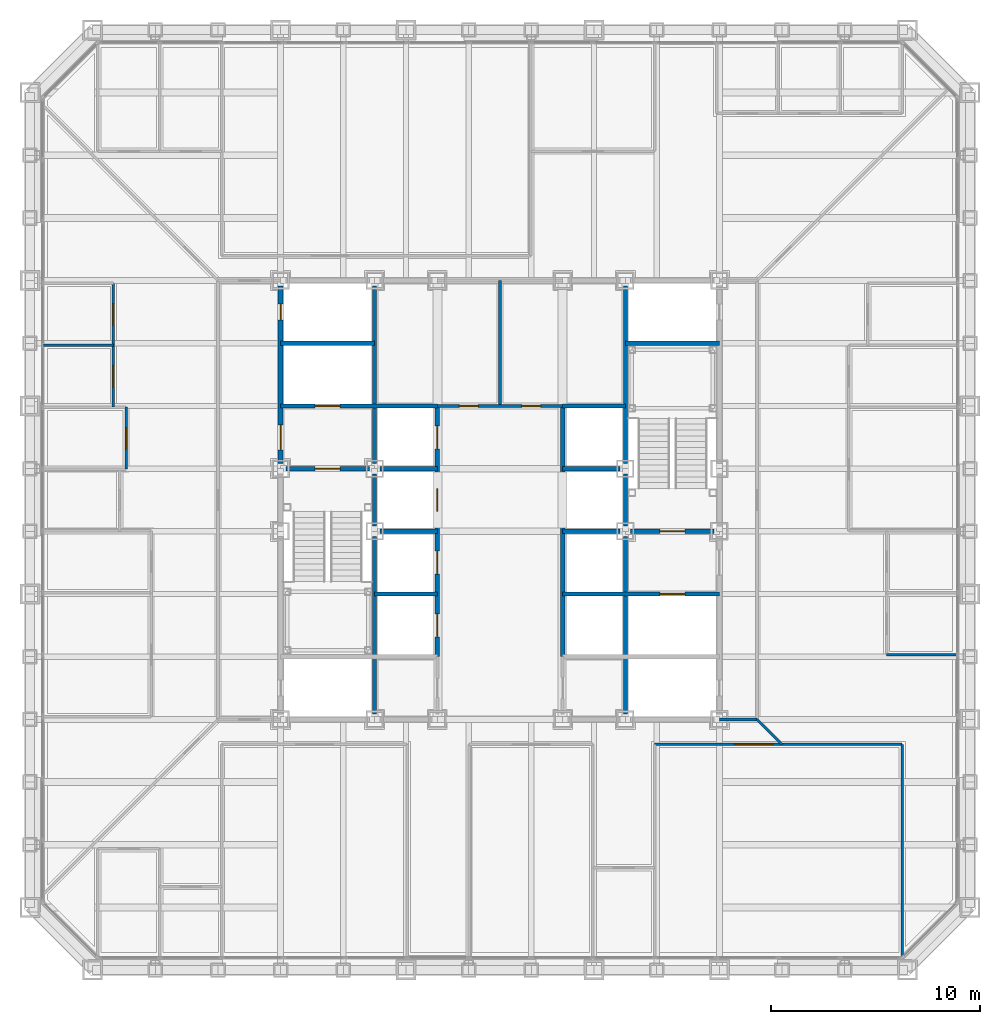
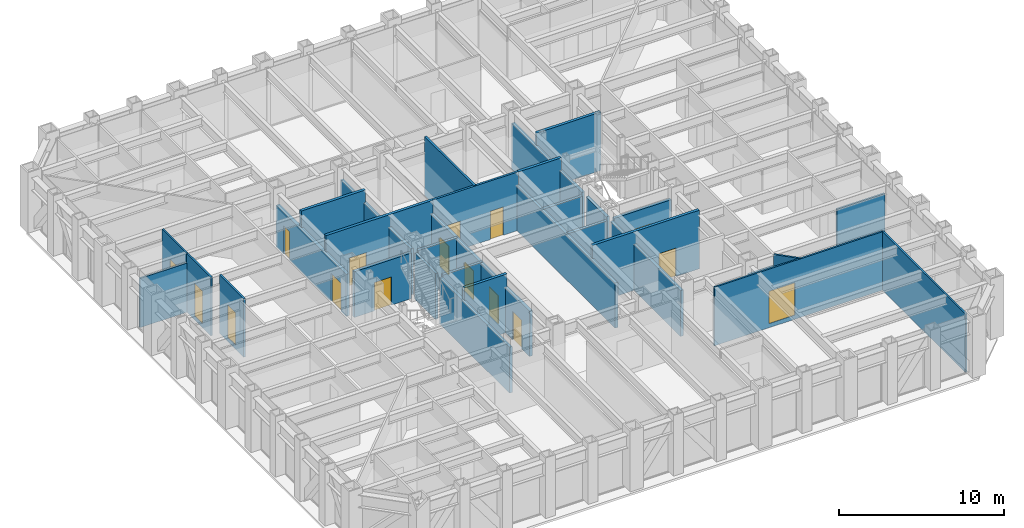
# One storey, part 9 of 17: 32 walls, 16 doors, 16 openings.
"""IFC4 building model written with IfcOpenShell, lengths in metres."""

from ifc_helpers import new_model, si_unit, direction, frame, frame_2d, origin, place, context, subcontext, project, spatial, rectangle, extrude, material, layer, layer_set, type_object, element, fill, save


model = new_model("IFC4")

# Units and contexts
model_context = context("Model", 3, precision=1e-05, world=origin(), true_north=direction((0.0, 1.0)))
body_context = subcontext(model_context, "Body", "Model", "MODEL_VIEW")
ifc_project = project(units=[si_unit("LENGTHUNIT", "METRE"), si_unit("AREAUNIT", "SQUARE_METRE"), si_unit("VOLUMEUNIT", "CUBIC_METRE"), si_unit("PLANEANGLEUNIT", "RADIAN"), si_unit("MASSUNIT", "GRAM", prefix="KILO")], contexts=[model_context])

# Site, building, storey
site_placement = place(None, origin())
site = spatial("IfcSite", under=ifc_project, at=site_placement, CompositionType="ELEMENT")
building_placement = place(site_placement, origin())
building = spatial("IfcBuilding", under=site, at=building_placement, Name="Chuquiago Exchange Tower", CompositionType="ELEMENT")
storey_placement = place(building_placement, frame((0.0, 0.0, 64.800048828125)))
storey = spatial("IfcBuildingStorey", under=building, at=storey_placement, Name="L13", CompositionType="ELEMENT", Elevation=64.800048828125)

# Wall, openings, doors
ifc_material_1 = material(Name="Concrete masonry, fully grouted", Category="masonry")
ifc_layer_1 = layer(ifc_material_1, 0.25)
ifc_layer_set_1 = layer_set([ifc_layer_1], Name="W1 core wall 250")
wall_type_1 = type_object("IfcWallType", Name="W1 core wall 250", PredefinedType="SOLIDWALL", material=ifc_layer_set_1)
wall_1_placement = place(storey_placement, frame((12.0, 24.25, 0.0), z_axis=(0.0, 0.0, 1.0), x_axis=(0.0, 1.0, 0.0)))
wall_1 = element("IfcWall", 1, at=wall_1_placement, inside=storey, type_object=wall_type_1, Name="CW-L13-00-2", PredefinedType="SOLIDWALL", context=body_context, shape_type="SweptSolid", body=[
    extrude(rectangle(XDim=8.5, YDim=0.25, at=frame_2d((4.25, 0.0))), origin(), (0.0, 0.0, 1.0), 3.11279296875),
])
opening_1_placement = place(wall_1_placement, frame((0.64990234375, 0.0, 0.0)))
opening_1 = element("IfcOpeningElement", 2, at=opening_1_placement, cuts=wall_1, Name="Opening L13-002", PredefinedType="OPENING", context=body_context, shape_type="SweptSolid", body=[
    extrude(rectangle(XDim=1.199951171875, YDim=2.10009765625, at=frame_2d((0.60009765625, 1.050048828125))), frame((0.0, 0.135009765625, 0.0), z_axis=(0.0, -1.0, 0.0), x_axis=(1.0, 0.0, 0.0)), (0.0, 0.0, 1.0), 0.27001953125),
])
opening_2_placement = place(wall_1_placement, frame((6.875, 0.0, 0.0)))
opening_2 = element("IfcOpeningElement", 3, at=opening_2_placement, cuts=wall_1, Name="Opening L13-008", PredefinedType="OPENING", context=body_context, shape_type="SweptSolid", body=[
    extrude(rectangle(XDim=0.75, YDim=2.10009765625, at=frame_2d((0.375, 1.050048828125))), frame((0.0, 0.135009765625, 0.0), z_axis=(0.0, -1.0, 0.0), x_axis=(1.0, 0.0, 0.0)), (0.0, 0.0, 1.0), 0.27001953125),
])
ifc_material_2 = material(Name="Steel door, painted", Category="steel")
door_type_1 = type_object("IfcDoorType", Name="D5 firefighting lobby door 1200x2100", OperationType="SINGLE_SWING_LEFT", PredefinedType="DOOR", material=ifc_material_2)
door_1_placement = place(opening_1_placement, frame((1.199951171875, 0.0, 0.0), z_axis=(0.0, 0.0, 1.0), x_axis=(-1.0, 0.0, 0.0)))
door_1 = element("IfcDoor", 4, at=door_1_placement, inside=storey, type_object=door_type_1, Name="Firefighting lobby 1 door", OperationType="SINGLE_SWING_RIGHT", OverallHeight=2.10009765625, OverallWidth=1.199951171875, PredefinedType="DOOR", context=body_context, shape_type="SweptSolid", body=[
    extrude(rectangle(XDim=1.199951171875, YDim=2.10009765625, at=frame_2d((0.60009765625, 1.050048828125))), frame((0.0, 0.02490234375, 0.0), z_axis=(0.0, -1.0, 0.0), x_axis=(1.0, 0.0, 0.0)), (0.0, 0.0, 1.0), 0.050048828125),
])
fill(opening_1, door_1)
ifc_material_3 = material(Name="Steel door, painted", Category="steel")
door_type_2 = type_object("IfcDoorType", Name="D6 riser access door 750x2100", OperationType="SINGLE_SWING_LEFT", PredefinedType="DOOR", material=ifc_material_3)
door_2_placement = place(opening_2_placement, origin())
door_2 = element("IfcDoor", 5, at=door_2_placement, inside=storey, type_object=door_type_2, Name="Riser RW2 door", OperationType="SINGLE_SWING_RIGHT", OverallHeight=2.10009765625, OverallWidth=0.75, PredefinedType="DOOR", context=body_context, shape_type="SweptSolid", body=[
    extrude(rectangle(XDim=0.75, YDim=2.10009765625, at=frame_2d((0.375, 1.050048828125))), frame((0.0, 0.02490234375, 0.0), z_axis=(0.0, -1.0, 0.0), x_axis=(1.0, 0.0, 0.0)), (0.0, 0.0, 1.0), 0.050048828125),
])
fill(opening_2, door_2)

# Wall
ifc_material_4 = material(Name="Gypsum board on steel studs, acoustic insulation", Category="steel")
ifc_layer_2 = layer(ifc_material_4, 0.14990234375)
ifc_layer_set_2 = layer_set([ifc_layer_2], Name="W11 corridor wall 150")
wall_type_2 = type_object("IfcWallType", Name="W11 corridor wall 150", PredefinedType="PARTITIONING", material=ifc_layer_set_2)
wall_2_placement = place(storey_placement, frame((33.0, 12.0, -0.300048828125), z_axis=(0.0, 0.0, 1.0), x_axis=(1.0, 0.0, 0.0)))
element("IfcWall", 6, at=wall_2_placement, inside=storey, type_object=wall_type_2, Name="PW-L13-GES0", PredefinedType="PARTITIONING", context=body_context, shape_type="SweptSolid", body=[
    extrude(rectangle(XDim=1.800048828125, YDim=0.14990234375, at=frame_2d((0.89990234375, 0.0))), origin(), (0.0, 0.0, 1.0), 3.4814453125),
])

# Wall, opening, door
ifc_material_5 = material(Name="Concrete masonry, fully grouted", Category="masonry")
ifc_layer_3 = layer(ifc_material_5, 0.199951171875)
ifc_layer_set_3 = layer_set([ifc_layer_3], Name="W2 shaft wall 200")
wall_type_3 = type_object("IfcWallType", Name="W2 shaft wall 200", PredefinedType="SOLIDWALL", material=ifc_layer_set_3)
wall_3_placement = place(storey_placement, frame((12.25, 24.0, 0.0), z_axis=(0.0, 0.0, 1.0), x_axis=(1.0, 0.0, 0.0)))
wall_3 = element("IfcWall", 7, at=wall_3_placement, inside=storey, type_object=wall_type_3, Name="CW-L13-05-0", PredefinedType="SOLIDWALL", context=body_context, shape_type="SweptSolid", body=[
    extrude(rectangle(XDim=4.0, YDim=0.199951171875, at=frame_2d((2.0, 0.0))), origin(), (0.0, 0.0, 1.0), 3.389892578125),
])
opening_3_placement = place(wall_3_placement, frame((1.39990234375, 0.0, 0.0)))
opening_3 = element("IfcOpeningElement", 8, at=opening_3_placement, cuts=wall_3, Name="Opening L13-001", PredefinedType="OPENING", context=body_context, shape_type="SweptSolid", body=[
    extrude(rectangle(XDim=1.199951171875, YDim=2.10009765625, at=frame_2d((0.60009765625, 1.050048828125))), frame((0.0, 0.10986328125, 0.0), z_axis=(0.0, -1.0, 0.0), x_axis=(1.0, 0.0, 0.0)), (0.0, 0.0, 1.0), 0.219970703125),
])
ifc_material_6 = material(Name="Steel door, painted", Category="steel")
door_type_3 = type_object("IfcDoorType", Name="D4 stair door 1200x2100", OperationType="SINGLE_SWING_LEFT", PredefinedType="DOOR", material=ifc_material_6)
door_3_placement = place(opening_3_placement, frame((1.199951171875, 0.0, 0.0), z_axis=(0.0, 0.0, 1.0), x_axis=(-1.0, 0.0, 0.0)))
door_3 = element("IfcDoor", 9, at=door_3_placement, inside=storey, type_object=door_type_3, Name="Stair ST1 door", OperationType="SINGLE_SWING_RIGHT", OverallHeight=2.10009765625, OverallWidth=1.199951171875, PredefinedType="DOOR", context=body_context, shape_type="SweptSolid", body=[
    extrude(rectangle(XDim=1.199951171875, YDim=2.10009765625, at=frame_2d((0.60009765625, 1.050048828125))), frame((0.0, 0.02490234375, 0.0), z_axis=(0.0, -1.0, 0.0), x_axis=(1.0, 0.0, 0.0)), (0.0, 0.0, 1.0), 0.050048828125),
])
fill(opening_3, door_3)

# Walls
for number, where, z_axis, x_axis, name in (
    (10, (16.75, 24.0, 0.0), (0.0, 0.0, 1.0), (1.0, 0.0, 0.0), "CW-L13-05-1"),
    (11, (25.5, 24.0, 0.0), (0.0, 0.0, 1.0), (1.0, 0.0, 0.0), "CW-L13-06-0"),
):
    element("IfcWall", number, at=place(storey_placement, frame(where, z_axis=z_axis, x_axis=x_axis)), inside=storey, type_object=wall_type_3, Name=name, PredefinedType="SOLIDWALL", context=body_context, shape_type="SweptSolid", body=[
        extrude(rectangle(XDim=2.75, YDim=0.199951171875, at=frame_2d((1.375, 0.0))), origin(), (0.0, 0.0, 1.0), 3.389892578125),
    ])

# Wall, opening, door
wall_4_placement = place(storey_placement, frame((12.0, 27.0, 0.0), z_axis=(0.0, 0.0, 1.0), x_axis=(1.0, 0.0, 0.0)))
wall_4 = element("IfcWall", 12, at=wall_4_placement, inside=storey, type_object=wall_type_3, Name="CW-L13-07-0", PredefinedType="SOLIDWALL", context=body_context, shape_type="SweptSolid", body=[
    extrude(rectangle(XDim=7.5, YDim=0.199951171875, at=frame_2d((3.75, 0.0))), origin(), (0.0, 0.0, 1.0), 4.33984375),
])
opening_4_placement = place(wall_4_placement, frame((1.64990234375, 0.0, 0.0)))
opening_4 = element("IfcOpeningElement", 13, at=opening_4_placement, cuts=wall_4, Name="Opening L13-005", PredefinedType="OPENING", context=body_context, shape_type="SweptSolid", body=[
    extrude(rectangle(XDim=1.199951171875, YDim=2.10009765625, at=frame_2d((0.60009765625, 1.050048828125))), frame((0.0, 0.10986328125, 0.0), z_axis=(0.0, -1.0, 0.0), x_axis=(1.0, 0.0, 0.0)), (0.0, 0.0, 1.0), 0.219970703125),
])
ifc_material_7 = material(Name="Stainless steel lift landing door", Category="steel")
door_type_4 = type_object("IfcDoorType", Name="LD2 firefighting lift landing door 1200x2100", OperationType="DOUBLE_DOOR_SLIDING", PredefinedType="DOOR", material=ifc_material_7)
door_4_placement = place(opening_4_placement, origin())
door_4 = element("IfcDoor", 14, at=door_4_placement, inside=storey, type_object=door_type_4, Name="Firefighting lift FL1 landing door", OperationType="DOUBLE_DOOR_SLIDING", OverallHeight=2.10009765625, OverallWidth=1.199951171875, PredefinedType="DOOR", context=body_context, shape_type="SweptSolid", body=[
    extrude(rectangle(XDim=1.199951171875, YDim=2.10009765625, at=frame_2d((0.60009765625, 1.050048828125))), frame((0.0, 0.02490234375, 0.0), z_axis=(0.0, -1.0, 0.0), x_axis=(1.0, 0.0, 0.0)), (0.0, 0.0, 1.0), 0.050048828125),
])
fill(opening_4, door_4)

# Walls
wall_5_placement = place(storey_placement, frame((25.5, 27.0, 0.0), z_axis=(0.0, 0.0, 1.0), x_axis=(1.0, 0.0, 0.0)))
element("IfcWall", 15, at=wall_5_placement, inside=storey, type_object=wall_type_3, Name="CW-L13-08-0", PredefinedType="SOLIDWALL", context=body_context, shape_type="SweptSolid", body=[
    extrude(rectangle(XDim=3.0, YDim=0.199951171875, at=frame_2d((1.5, 0.0))), origin(), (0.0, 0.0, 1.0), 4.33984375),
])
for number, where, z_axis, x_axis, name in (
    (16, (12.0, 30.0, 0.0), (0.0, 0.0, 1.0), (1.0, 0.0, 0.0), "CW-L13-09-0"),
    (17, (28.5, 30.0, 0.0), (0.0, 0.0, 1.0), (1.0, 0.0, 0.0), "CW-L13-10-0"),
):
    element("IfcWall", number, at=place(storey_placement, frame(where, z_axis=z_axis, x_axis=x_axis)), inside=storey, type_object=wall_type_3, Name=name, PredefinedType="SOLIDWALL", context=body_context, shape_type="SweptSolid", body=[
        extrude(rectangle(XDim=4.5, YDim=0.199951171875, at=frame_2d((2.25, 0.0))), origin(), (0.0, 0.0, 1.0), 4.33984375),
    ])
wall_6_placement = place(storey_placement, frame((16.5, 12.25, 0.0), z_axis=(0.0, 0.0, 1.0), x_axis=(0.0, 1.0, 0.0)))
element("IfcWall", 18, at=wall_6_placement, inside=storey, type_object=wall_type_3, Name="CW-L13-13-0", PredefinedType="SOLIDWALL", context=body_context, shape_type="SweptSolid", body=[
    extrude(rectangle(XDim=8.5, YDim=0.199951171875, at=frame_2d((4.25, 0.0))), origin(), (0.0, 0.0, 1.0), 3.412841796875),
])
wall_7_placement = place(storey_placement, frame((16.5, 21.25, 0.0), z_axis=(0.0, 0.0, 1.0), x_axis=(0.0, 1.0, 0.0)))
element("IfcWall", 19, at=wall_7_placement, inside=storey, type_object=wall_type_3, Name="CW-L13-13-1", PredefinedType="SOLIDWALL", context=body_context, shape_type="SweptSolid", body=[
    extrude(rectangle(XDim=2.5, YDim=0.199951171875, at=frame_2d((1.25, 0.0))), origin(), (0.0, 0.0, 1.0), 3.412841796875),
])
wall_8_placement = place(storey_placement, frame((16.5, 24.25, 0.0), z_axis=(0.0, 0.0, 1.0), x_axis=(0.0, 1.0, 0.0)))
element("IfcWall", 20, at=wall_8_placement, inside=storey, type_object=wall_type_3, Name="CW-L13-13-2", PredefinedType="SOLIDWALL", context=body_context, shape_type="SweptSolid", body=[
    extrude(rectangle(XDim=8.5, YDim=0.199951171875, at=frame_2d((4.25, 0.0))), origin(), (0.0, 0.0, 1.0), 3.412841796875),
])
wall_9_placement = place(storey_placement, frame((16.5, 18.0, 0.0), z_axis=(0.0, 0.0, 1.0), x_axis=(1.0, 0.0, 0.0)))
element("IfcWall", 21, at=wall_9_placement, inside=storey, type_object=wall_type_3, Name="CW-L13-14-0", PredefinedType="SOLIDWALL", context=body_context, shape_type="SweptSolid", body=[
    extrude(rectangle(XDim=3.0, YDim=0.199951171875, at=frame_2d((1.5, 0.0))), origin(), (0.0, 0.0, 1.0), 4.33984375),
])

# Wall, opening, door
wall_10_placement = place(storey_placement, frame((25.5, 18.0, 0.0), z_axis=(0.0, 0.0, 1.0), x_axis=(1.0, 0.0, 0.0)))
wall_10 = element("IfcWall", 22, at=wall_10_placement, inside=storey, type_object=wall_type_3, Name="CW-L13-15-0", PredefinedType="SOLIDWALL", context=body_context, shape_type="SweptSolid", body=[
    extrude(rectangle(XDim=7.5, YDim=0.199951171875, at=frame_2d((3.75, 0.0))), origin(), (0.0, 0.0, 1.0), 4.33984375),
])
opening_5_placement = place(wall_10_placement, frame((4.64990234375, 0.0, 0.0)))
opening_5 = element("IfcOpeningElement", 23, at=opening_5_placement, cuts=wall_10, Name="Opening L13-006", PredefinedType="OPENING", context=body_context, shape_type="SweptSolid", body=[
    extrude(rectangle(XDim=1.199951171875, YDim=2.10009765625, at=frame_2d((0.60009765625, 1.050048828125))), frame((0.0, 0.10986328125, 0.0), z_axis=(0.0, -1.0, 0.0), x_axis=(1.0, 0.0, 0.0)), (0.0, 0.0, 1.0), 0.219970703125),
])
door_5_placement = place(opening_5_placement, origin())
door_5 = element("IfcDoor", 24, at=door_5_placement, inside=storey, type_object=door_type_4, Name="Firefighting lift FL2 landing door", OperationType="DOUBLE_DOOR_SLIDING", OverallHeight=2.10009765625, OverallWidth=1.199951171875, PredefinedType="DOOR", context=body_context, shape_type="SweptSolid", body=[
    extrude(rectangle(XDim=1.199951171875, YDim=2.10009765625, at=frame_2d((0.60009765625, 1.050048828125))), frame((0.0, 0.02490234375, 0.0), z_axis=(0.0, -1.0, 0.0), x_axis=(1.0, 0.0, 0.0)), (0.0, 0.0, 1.0), 0.050048828125),
])
fill(opening_5, door_5)

# Walls
for number, where, z_axis, x_axis, name in (
    (25, (16.75, 21.0, 0.0), (0.0, 0.0, 1.0), (1.0, 0.0, 0.0), "CW-L13-16-0"),
    (26, (25.5, 21.0, 0.0), (0.0, 0.0, 1.0), (1.0, 0.0, 0.0), "CW-L13-17-0"),
):
    element("IfcWall", number, at=place(storey_placement, frame(where, z_axis=z_axis, x_axis=x_axis)), inside=storey, type_object=wall_type_3, Name=name, PredefinedType="SOLIDWALL", context=body_context, shape_type="SweptSolid", body=[
        extrude(rectangle(XDim=2.75, YDim=0.199951171875, at=frame_2d((1.375, 0.0))), origin(), (0.0, 0.0, 1.0), 3.389892578125),
    ])

# Wall, opening, door
wall_11_placement = place(storey_placement, frame((28.75, 21.0, 0.0), z_axis=(0.0, 0.0, 1.0), x_axis=(1.0, 0.0, 0.0)))
wall_11 = element("IfcWall", 27, at=wall_11_placement, inside=storey, type_object=wall_type_3, Name="CW-L13-17-1", PredefinedType="SOLIDWALL", context=body_context, shape_type="SweptSolid", body=[
    extrude(rectangle(XDim=4.0, YDim=0.199951171875, at=frame_2d((2.0, 0.0))), origin(), (0.0, 0.0, 1.0), 3.389892578125),
])
opening_6_placement = place(wall_11_placement, frame((1.39990234375, 0.0, 0.0)))
opening_6 = element("IfcOpeningElement", 28, at=opening_6_placement, cuts=wall_11, Name="Opening L13-003", PredefinedType="OPENING", context=body_context, shape_type="SweptSolid", body=[
    extrude(rectangle(XDim=1.199951171875, YDim=2.10009765625, at=frame_2d((0.60009765625, 1.050048828125))), frame((0.0, 0.10986328125, 0.0), z_axis=(0.0, -1.0, 0.0), x_axis=(1.0, 0.0, 0.0)), (0.0, 0.0, 1.0), 0.219970703125),
])
door_6_placement = place(opening_6_placement, origin())
door_6 = element("IfcDoor", 29, at=door_6_placement, inside=storey, type_object=door_type_3, Name="Stair ST2 door", OperationType="SINGLE_SWING_LEFT", OverallHeight=2.10009765625, OverallWidth=1.199951171875, PredefinedType="DOOR", context=body_context, shape_type="SweptSolid", body=[
    extrude(rectangle(XDim=1.199951171875, YDim=2.10009765625, at=frame_2d((0.60009765625, 1.050048828125))), frame((0.0, 0.02490234375, 0.0), z_axis=(0.0, -1.0, 0.0), x_axis=(1.0, 0.0, 0.0)), (0.0, 0.0, 1.0), 0.050048828125),
])
fill(opening_6, door_6)

# Wall, openings, doors
wall_12_placement = place(storey_placement, frame((19.5, 15.0, 0.0), z_axis=(0.0, 0.0, 1.0), x_axis=(0.0, 1.0, 0.0)))
wall_12 = element("IfcWall", 30, at=wall_12_placement, inside=storey, type_object=wall_type_3, Name="CW-L13-19-0", PredefinedType="SOLIDWALL", context=body_context, shape_type="SweptSolid", body=[
    extrude(rectangle(XDim=12.0, YDim=0.199951171875, at=frame_2d((6.0, 0.0))), origin(), (0.0, 0.0, 1.0), 3.364501953125),
])
opening_7_placement = place(wall_12_placement, frame((0.949951171875, 0.0, 0.0)))
opening_7 = element("IfcOpeningElement", 31, at=opening_7_placement, cuts=wall_12, Name="Opening L13-015", PredefinedType="OPENING", context=body_context, shape_type="SweptSolid", body=[
    extrude(rectangle(XDim=1.10009765625, YDim=2.10009765625, at=frame_2d((0.550048828125, 1.050048828125))), frame((0.0, 0.10986328125, 0.0), z_axis=(0.0, -1.0, 0.0), x_axis=(1.0, 0.0, 0.0)), (0.0, 0.0, 1.0), 0.219970703125),
])
opening_8_placement = place(wall_12_placement, frame((3.949951171875, 0.0, 0.0)))
opening_8 = element("IfcOpeningElement", 32, at=opening_8_placement, cuts=wall_12, Name="Opening L13-016", PredefinedType="OPENING", context=body_context, shape_type="SweptSolid", body=[
    extrude(rectangle(XDim=1.10009765625, YDim=2.10009765625, at=frame_2d((0.550048828125, 1.050048828125))), frame((0.0, 0.10986328125, 0.0), z_axis=(0.0, -1.0, 0.0), x_axis=(1.0, 0.0, 0.0)), (0.0, 0.0, 1.0), 0.219970703125),
])
opening_9_placement = place(wall_12_placement, frame((6.949951171875, 0.0, 0.0)))
opening_9 = element("IfcOpeningElement", 33, at=opening_9_placement, cuts=wall_12, Name="Opening L13-017", PredefinedType="OPENING", context=body_context, shape_type="SweptSolid", body=[
    extrude(rectangle(XDim=1.10009765625, YDim=2.10009765625, at=frame_2d((0.550048828125, 1.050048828125))), frame((0.0, 0.10986328125, 0.0), z_axis=(0.0, -1.0, 0.0), x_axis=(1.0, 0.0, 0.0)), (0.0, 0.0, 1.0), 0.219970703125),
])
opening_10_placement = place(wall_12_placement, frame((9.949951171875, 0.0, 0.0)))
opening_10 = element("IfcOpeningElement", 34, at=opening_10_placement, cuts=wall_12, Name="Opening L13-018", PredefinedType="OPENING", context=body_context, shape_type="SweptSolid", body=[
    extrude(rectangle(XDim=1.10009765625, YDim=2.10009765625, at=frame_2d((0.550048828125, 1.050048828125))), frame((0.0, 0.10986328125, 0.0), z_axis=(0.0, -1.0, 0.0), x_axis=(1.0, 0.0, 0.0)), (0.0, 0.0, 1.0), 0.219970703125),
])
ifc_material_8 = material(Name="Stainless steel lift landing door", Category="steel")
door_type_5 = type_object("IfcDoorType", Name="LD1 lift landing door 1100x2100", OperationType="DOUBLE_DOOR_SLIDING", PredefinedType="DOOR", material=ifc_material_8)
door_7_placement = place(opening_7_placement, origin())
door_7 = element("IfcDoor", 35, at=door_7_placement, inside=storey, type_object=door_type_5, Name="Lift LA1 landing door", OperationType="DOUBLE_DOOR_SLIDING", OverallHeight=2.10009765625, OverallWidth=1.10009765625, PredefinedType="DOOR", context=body_context, shape_type="SweptSolid", body=[
    extrude(rectangle(XDim=1.10009765625, YDim=2.10009765625, at=frame_2d((0.550048828125, 1.050048828125))), frame((0.0, 0.02490234375, 0.0), z_axis=(0.0, -1.0, 0.0), x_axis=(1.0, 0.0, 0.0)), (0.0, 0.0, 1.0), 0.050048828125),
])
fill(opening_7, door_7)
door_8_placement = place(opening_8_placement, origin())
door_8 = element("IfcDoor", 36, at=door_8_placement, inside=storey, type_object=door_type_5, Name="Lift LA2 landing door", OperationType="DOUBLE_DOOR_SLIDING", OverallHeight=2.10009765625, OverallWidth=1.10009765625, PredefinedType="DOOR", context=body_context, shape_type="SweptSolid", body=[
    extrude(rectangle(XDim=1.10009765625, YDim=2.10009765625, at=frame_2d((0.550048828125, 1.050048828125))), frame((0.0, 0.02490234375, 0.0), z_axis=(0.0, -1.0, 0.0), x_axis=(1.0, 0.0, 0.0)), (0.0, 0.0, 1.0), 0.050048828125),
])
fill(opening_8, door_8)
door_9_placement = place(opening_9_placement, origin())
door_9 = element("IfcDoor", 37, at=door_9_placement, inside=storey, type_object=door_type_5, Name="Lift LA3 landing door", OperationType="DOUBLE_DOOR_SLIDING", OverallHeight=2.10009765625, OverallWidth=1.10009765625, PredefinedType="DOOR", context=body_context, shape_type="SweptSolid", body=[
    extrude(rectangle(XDim=1.10009765625, YDim=2.10009765625, at=frame_2d((0.550048828125, 1.050048828125))), frame((0.0, 0.02490234375, 0.0), z_axis=(0.0, -1.0, 0.0), x_axis=(1.0, 0.0, 0.0)), (0.0, 0.0, 1.0), 0.050048828125),
])
fill(opening_9, door_9)
door_10_placement = place(opening_10_placement, origin())
door_10 = element("IfcDoor", 38, at=door_10_placement, inside=storey, type_object=door_type_5, Name="Lift LA4 landing door", OperationType="DOUBLE_DOOR_SLIDING", OverallHeight=2.10009765625, OverallWidth=1.10009765625, PredefinedType="DOOR", context=body_context, shape_type="SweptSolid", body=[
    extrude(rectangle(XDim=1.10009765625, YDim=2.10009765625, at=frame_2d((0.550048828125, 1.050048828125))), frame((0.0, 0.02490234375, 0.0), z_axis=(0.0, -1.0, 0.0), x_axis=(1.0, 0.0, 0.0)), (0.0, 0.0, 1.0), 0.050048828125),
])
fill(opening_10, door_10)

# Walls
wall_13_placement = place(storey_placement, frame((25.5, 15.0, 0.0), z_axis=(0.0, 0.0, 1.0), x_axis=(0.0, 1.0, 0.0)))
element("IfcWall", 39, at=wall_13_placement, inside=storey, type_object=wall_type_3, Name="CW-L13-22-0", PredefinedType="SOLIDWALL", context=body_context, shape_type="SweptSolid", body=[
    extrude(rectangle(XDim=12.0, YDim=0.199951171875, at=frame_2d((6.0, 0.0))), origin(), (0.0, 0.0, 1.0), 3.364501953125),
])
wall_14_placement = place(storey_placement, frame((28.5, 12.25, 0.0), z_axis=(0.0, 0.0, 1.0), x_axis=(0.0, 1.0, 0.0)))
element("IfcWall", 40, at=wall_14_placement, inside=storey, type_object=wall_type_3, Name="CW-L13-24-0", PredefinedType="SOLIDWALL", context=body_context, shape_type="SweptSolid", body=[
    extrude(rectangle(XDim=8.5, YDim=0.199951171875, at=frame_2d((4.25, 0.0))), origin(), (0.0, 0.0, 1.0), 3.412841796875),
])
wall_15_placement = place(storey_placement, frame((28.5, 21.25, 0.0), z_axis=(0.0, 0.0, 1.0), x_axis=(0.0, 1.0, 0.0)))
element("IfcWall", 41, at=wall_15_placement, inside=storey, type_object=wall_type_3, Name="CW-L13-24-1", PredefinedType="SOLIDWALL", context=body_context, shape_type="SweptSolid", body=[
    extrude(rectangle(XDim=2.5, YDim=0.199951171875, at=frame_2d((1.25, 0.0))), origin(), (0.0, 0.0, 1.0), 3.412841796875),
])
wall_16_placement = place(storey_placement, frame((28.5, 24.25, 0.0), z_axis=(0.0, 0.0, 1.0), x_axis=(0.0, 1.0, 0.0)))
element("IfcWall", 42, at=wall_16_placement, inside=storey, type_object=wall_type_3, Name="CW-L13-24-2", PredefinedType="SOLIDWALL", context=body_context, shape_type="SweptSolid", body=[
    extrude(rectangle(XDim=8.5, YDim=0.199951171875, at=frame_2d((4.25, 0.0))), origin(), (0.0, 0.0, 1.0), 3.412841796875),
])

# Wall, openings, doors
ifc_material_9 = material(Name="Gypsum board on steel studs", Category="steel")
ifc_layer_4 = layer(ifc_material_9, 0.14990234375)
ifc_layer_set_4 = layer_set([ifc_layer_4], Name="W3 core partition 150")
wall_type_4 = type_object("IfcWallType", Name="W3 core partition 150", PredefinedType="PARTITIONING", material=ifc_layer_set_4)
wall_17_placement = place(storey_placement, frame((19.5, 27.0, 0.0), z_axis=(0.0, 0.0, 1.0), x_axis=(1.0, 0.0, 0.0)))
wall_17 = element("IfcWall", 43, at=wall_17_placement, inside=storey, type_object=wall_type_4, Name="CW-L13-TF", PredefinedType="PARTITIONING", context=body_context, shape_type="SweptSolid", body=[
    extrude(rectangle(XDim=6.0, YDim=0.14990234375, at=frame_2d((3.0, 0.0))), origin(), (0.0, 0.0, 1.0), 4.33984375),
])
opening_11_placement = place(wall_17_placement, frame((1.050048828125, 0.0, 0.0)))
opening_11 = element("IfcOpeningElement", 44, at=opening_11_placement, cuts=wall_17, Name="Opening L13-011", PredefinedType="OPENING", context=body_context, shape_type="SweptSolid", body=[
    extrude(rectangle(XDim=0.89990234375, YDim=2.10009765625, at=frame_2d((0.449951171875, 1.050048828125))), frame((0.0, 0.0849609375, 0.0), z_axis=(0.0, -1.0, 0.0), x_axis=(1.0, 0.0, 0.0)), (0.0, 0.0, 1.0), 0.169921875),
])
opening_12_placement = place(wall_17_placement, frame((4.050048828125, 0.0, 0.0)))
opening_12 = element("IfcOpeningElement", 45, at=opening_12_placement, cuts=wall_17, Name="Opening L13-012", PredefinedType="OPENING", context=body_context, shape_type="SweptSolid", body=[
    extrude(rectangle(XDim=0.89990234375, YDim=2.10009765625, at=frame_2d((0.449951171875, 1.050048828125))), frame((0.0, 0.0849609375, 0.0), z_axis=(0.0, -1.0, 0.0), x_axis=(1.0, 0.0, 0.0)), (0.0, 0.0, 1.0), 0.169921875),
])
ifc_material_10 = material(Name="Timber door, laminate faced", Category="wood")
door_type_6 = type_object("IfcDoorType", Name="D7 toilet door 900x2100", OperationType="SINGLE_SWING_LEFT", PredefinedType="DOOR", material=ifc_material_10)
door_11_placement = place(opening_11_placement, origin())
door_11 = element("IfcDoor", 46, at=door_11_placement, inside=storey, type_object=door_type_6, Name="Male WC door", OperationType="SINGLE_SWING_RIGHT", OverallHeight=2.10009765625, OverallWidth=0.89990234375, PredefinedType="DOOR", context=body_context, shape_type="SweptSolid", body=[
    extrude(rectangle(XDim=0.89990234375, YDim=2.10009765625, at=frame_2d((0.449951171875, 1.050048828125))), frame((0.0, 0.02490234375, 0.0), z_axis=(0.0, -1.0, 0.0), x_axis=(1.0, 0.0, 0.0)), (0.0, 0.0, 1.0), 0.050048828125),
])
fill(opening_11, door_11)
door_12_placement = place(opening_12_placement, origin())
door_12 = element("IfcDoor", 47, at=door_12_placement, inside=storey, type_object=door_type_6, Name="Female WC door", OperationType="SINGLE_SWING_LEFT", OverallHeight=2.10009765625, OverallWidth=0.89990234375, PredefinedType="DOOR", context=body_context, shape_type="SweptSolid", body=[
    extrude(rectangle(XDim=0.89990234375, YDim=2.10009765625, at=frame_2d((0.449951171875, 1.050048828125))), frame((0.0, 0.02490234375, 0.0), z_axis=(0.0, -1.0, 0.0), x_axis=(1.0, 0.0, 0.0)), (0.0, 0.0, 1.0), 0.050048828125),
])
fill(opening_12, door_12)

# Walls
wall_18_placement = place(storey_placement, frame((22.5, 27.0, 0.0), z_axis=(0.0, 0.0, 1.0), x_axis=(0.0, 1.0, 0.0)))
element("IfcWall", 48, at=wall_18_placement, inside=storey, type_object=wall_type_4, Name="CW-L13-TM", PredefinedType="PARTITIONING", context=body_context, shape_type="SweptSolid", body=[
    extrude(rectangle(XDim=6.0, YDim=0.14990234375, at=frame_2d((3.0, 0.0))), origin(), (0.0, 0.0, 1.0), 4.33984375),
])
ifc_material_11 = material(Name="Gypsum board on steel studs", Category="steel")
ifc_layer_5 = layer(ifc_material_11, 0.1201171875)
ifc_layer_set_5 = layer_set([ifc_layer_5], Name="W4 partition 120")
wall_type_5 = type_object("IfcWallType", Name="W4 partition 120", PredefinedType="PARTITIONING", material=ifc_layer_set_5)
wall_19_placement = place(storey_placement, frame((41.75146484375, 0.666015625, -0.300048828125), z_axis=(0.0, 0.0, 1.0), x_axis=(0.0, 1.0, 0.0)))
element("IfcWall", 49, at=wall_19_placement, inside=storey, type_object=wall_type_5, Name="PW-L13-S04175", PredefinedType="PARTITIONING", context=body_context, shape_type="SweptSolid", body=[
    extrude(rectangle(XDim=10.134033203125, YDim=0.1201171875, at=frame_2d((5.06689453125, 0.0))), origin(), (0.0, 0.0, 1.0), 4.340087890625),
])

# Wall, opening, door
wall_20_placement = place(storey_placement, frame((29.904296875, 10.800048828125, -0.300048828125), z_axis=(0.0, 0.0, 1.0), x_axis=(1.0, 0.0, 0.0)))
wall_20 = element("IfcWall", 50, at=wall_20_placement, inside=storey, type_object=wall_type_5, Name="PW-L13-SF02990", PredefinedType="PARTITIONING", context=body_context, shape_type="SweptSolid", body=[
    extrude(rectangle(XDim=11.84716796875, YDim=0.1201171875, at=frame_2d((5.923583984375, 0.0))), origin(), (0.0, 0.0, 1.0), 4.340087890625),
])
opening_13_placement = place(wall_20_placement, frame((3.8388671875, 0.0, 0.300048828125)))
opening_13 = element("IfcOpeningElement", 51, at=opening_13_placement, cuts=wall_20, Name="Opening L13-024", PredefinedType="OPENING", context=body_context, shape_type="SweptSolid", body=[
    extrude(rectangle(XDim=1.800048828125, YDim=2.39990234375, at=frame_2d((0.89990234375, 1.199951171875))), frame((0.0, 0.070068359375, 0.0), z_axis=(0.0, -1.0, 0.0), x_axis=(1.0, 0.0, 0.0)), (0.0, 0.0, 1.0), 0.14013671875),
])
ifc_material_12 = material(Name="Timber door pair, laminate faced", Category="wood")
door_type_7 = type_object("IfcDoorType", Name="D15 double room door 1800x2400", OperationType="DOUBLE_DOOR_DOUBLE_SWING", PredefinedType="DOOR", material=ifc_material_12)
door_13_placement = place(opening_13_placement, origin())
door_13 = element("IfcDoor", 52, at=door_13_placement, inside=storey, type_object=door_type_7, Name="Trading room door", OperationType="DOUBLE_DOOR_DOUBLE_SWING", OverallHeight=2.39990234375, OverallWidth=1.800048828125, PredefinedType="DOOR", context=body_context, shape_type="SweptSolid", body=[
    extrude(rectangle(XDim=1.800048828125, YDim=2.39990234375, at=frame_2d((0.89990234375, 1.199951171875))), frame((0.0, 0.02490234375, 0.0), z_axis=(0.0, -1.0, 0.0), x_axis=(1.0, 0.0, 0.0)), (0.0, 0.0, 1.0), 0.050048828125),
])
fill(opening_13, door_13)

# Walls
for number, where, z_axis, x_axis, name in (
    (53, (44.342529296875, 15.095703125, -0.300048828125), (0.0, 0.0, 1.0), (-1.0, 0.0, 0.0), "PW-L13-E01510"),
    (54, (0.657470703125, 29.904296875, -0.300048828125), (0.0, 0.0, 1.0), (1.0, 0.0, 0.0), "PW-L13-W02990"),
):
    element("IfcWall", number, at=place(storey_placement, frame(where, z_axis=z_axis, x_axis=x_axis)), inside=storey, type_object=wall_type_5, Name=name, PredefinedType="PARTITIONING", context=body_context, shape_type="SweptSolid", body=[
        extrude(rectangle(XDim=3.342529296875, YDim=0.1201171875, at=frame_2d((1.67138671875, 0.0))), origin(), (0.0, 0.0, 1.0), 3.646484375),
    ])

# Wall, opening, door
wall_21_placement = place(storey_placement, frame((4.60009765625, 23.98095703125, -0.300048828125), z_axis=(0.0, 0.0, 1.0), x_axis=(0.0, 1.0, 0.0)))
wall_21 = element("IfcWall", 55, at=wall_21_placement, inside=storey, type_object=wall_type_5, Name="PW-L13-WF02398", PredefinedType="PARTITIONING", context=body_context, shape_type="SweptSolid", body=[
    extrude(rectangle(XDim=2.961669921875, YDim=0.1201171875, at=frame_2d((1.48095703125, 0.0))), origin(), (0.0, 0.0, 1.0), 4.340087890625),
])
opening_14_placement = place(wall_21_placement, frame((0.98095703125, 0.0, 0.300048828125)))
opening_14 = element("IfcOpeningElement", 56, at=opening_14_placement, cuts=wall_21, Name="Opening L13-040", PredefinedType="OPENING", context=body_context, shape_type="SweptSolid", body=[
    extrude(rectangle(XDim=1.0, YDim=2.39990234375, at=frame_2d((0.5, 1.199951171875))), frame((0.0, 0.070068359375, 0.0), z_axis=(0.0, -1.0, 0.0), x_axis=(1.0, 0.0, 0.0)), (0.0, 0.0, 1.0), 0.14013671875),
])
ifc_material_13 = material(Name="Timber door, laminate faced", Category="wood")
door_type_8 = type_object("IfcDoorType", Name="D9 room door 1000x2400", OperationType="SINGLE_SWING_LEFT", PredefinedType="DOOR", material=ifc_material_13)
door_14_placement = place(opening_14_placement, origin())
door_14 = element("IfcDoor", 57, at=door_14_placement, inside=storey, type_object=door_type_8, Name="Pantry door", OperationType="SINGLE_SWING_RIGHT", OverallHeight=2.39990234375, OverallWidth=1.0, PredefinedType="DOOR", context=body_context, shape_type="SweptSolid", body=[
    extrude(rectangle(XDim=1.0, YDim=2.39990234375, at=frame_2d((0.5, 1.199951171875))), frame((0.0, 0.02490234375, 0.0), z_axis=(0.0, -1.0, 0.0), x_axis=(1.0, 0.0, 0.0)), (0.0, 0.0, 1.0), 0.050048828125),
])
fill(opening_14, door_14)

wall_22_placement = place(storey_placement, frame((4.0, 26.942626953125, -0.300048828125), z_axis=(0.0, 0.0, 1.0), x_axis=(0.0, 1.0, 0.0)))
wall_22 = element("IfcWall", 58, at=wall_22_placement, inside=storey, type_object=wall_type_5, Name="PW-L13-WF02694", PredefinedType="PARTITIONING", context=body_context, shape_type="SweptSolid", body=[
    extrude(rectangle(XDim=2.961669921875, YDim=0.1201171875, at=frame_2d((1.48095703125, 0.0))), origin(), (0.0, 0.0, 1.0), 4.340087890625),
])
opening_15_placement = place(wall_22_placement, frame((0.98095703125, 0.0, 0.300048828125)))
opening_15 = element("IfcOpeningElement", 59, at=opening_15_placement, cuts=wall_22, Name="Opening L13-041", PredefinedType="OPENING", context=body_context, shape_type="SweptSolid", body=[
    extrude(rectangle(XDim=1.0, YDim=2.39990234375, at=frame_2d((0.5, 1.199951171875))), frame((0.0, 0.070068359375, 0.0), z_axis=(0.0, -1.0, 0.0), x_axis=(1.0, 0.0, 0.0)), (0.0, 0.0, 1.0), 0.14013671875),
])
ifc_material_14 = material(Name="Timber frame door, full height glazed panel", Category="wood")
door_type_9 = type_object("IfcDoorType", Name="D14 glazed meeting room door 1000x2400", OperationType="SINGLE_SWING_LEFT", PredefinedType="DOOR", material=ifc_material_14)
door_15_placement = place(opening_15_placement, origin())
door_15 = element("IfcDoor", 60, at=door_15_placement, inside=storey, type_object=door_type_9, Name="Focus room door", OperationType="SINGLE_SWING_LEFT", OverallHeight=2.39990234375, OverallWidth=1.0, PredefinedType="DOOR", context=body_context, shape_type="SweptSolid", body=[
    extrude(rectangle(XDim=1.0, YDim=2.39990234375, at=frame_2d((0.5, 1.199951171875))), frame((0.0, 0.02490234375, 0.0), z_axis=(0.0, -1.0, 0.0), x_axis=(1.0, 0.0, 0.0)), (0.0, 0.0, 1.0), 0.050048828125),
])
fill(opening_15, door_15)

wall_23_placement = place(storey_placement, frame((4.0, 29.904296875, -0.300048828125), z_axis=(0.0, 0.0, 1.0), x_axis=(0.0, 1.0, 0.0)))
wall_23 = element("IfcWall", 61, at=wall_23_placement, inside=storey, type_object=wall_type_5, Name="PW-L13-WF02990", PredefinedType="PARTITIONING", context=body_context, shape_type="SweptSolid", body=[
    extrude(rectangle(XDim=2.9619140625, YDim=0.1201171875, at=frame_2d((1.48095703125, 0.0))), origin(), (0.0, 0.0, 1.0), 4.340087890625),
])
opening_16_placement = place(wall_23_placement, frame((0.98095703125, 0.0, 0.300048828125)))
opening_16 = element("IfcOpeningElement", 62, at=opening_16_placement, cuts=wall_23, Name="Opening L13-042", PredefinedType="OPENING", context=body_context, shape_type="SweptSolid", body=[
    extrude(rectangle(XDim=1.0, YDim=2.39990234375, at=frame_2d((0.5, 1.199951171875))), frame((0.0, 0.070068359375, 0.0), z_axis=(0.0, -1.0, 0.0), x_axis=(1.0, 0.0, 0.0)), (0.0, 0.0, 1.0), 0.14013671875),
])
door_16_placement = place(opening_16_placement, origin())
door_16 = element("IfcDoor", 63, at=door_16_placement, inside=storey, type_object=door_type_9, Name="Focus room door", OperationType="SINGLE_SWING_LEFT", OverallHeight=2.39990234375, OverallWidth=1.0, PredefinedType="DOOR", context=body_context, shape_type="SweptSolid", body=[
    extrude(rectangle(XDim=1.0, YDim=2.39990234375, at=frame_2d((0.5, 1.199951171875))), frame((0.0, 0.02490234375, 0.0), z_axis=(0.0, -1.0, 0.0), x_axis=(1.0, 0.0, 0.0)), (0.0, 0.0, 1.0), 0.050048828125),
])
fill(opening_16, door_16)

# Wall
wall_24_placement = place(storey_placement, frame((34.800048828125, 12.0, -0.300048828125), z_axis=(0.0, 0.0, 1.0), x_axis=(0.707106781187, -0.707106781187, 0.0)))
element("IfcWall", 64, at=wall_24_placement, inside=storey, type_object=wall_type_5, Name="PW-L13-QSE", PredefinedType="PARTITIONING", context=body_context, shape_type="SweptSolid", body=[
    extrude(rectangle(XDim=1.698486328125, YDim=0.1201171875, at=frame_2d((0.84912109375, 0.0))), origin(), (0.0, 0.0, 1.0), 4.340087890625),
])

save(model, "model.ifc")
